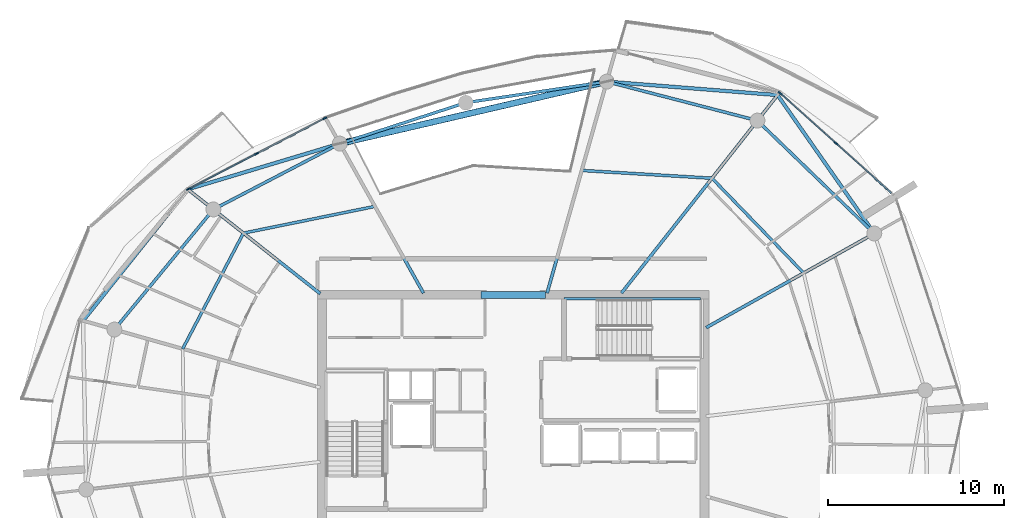
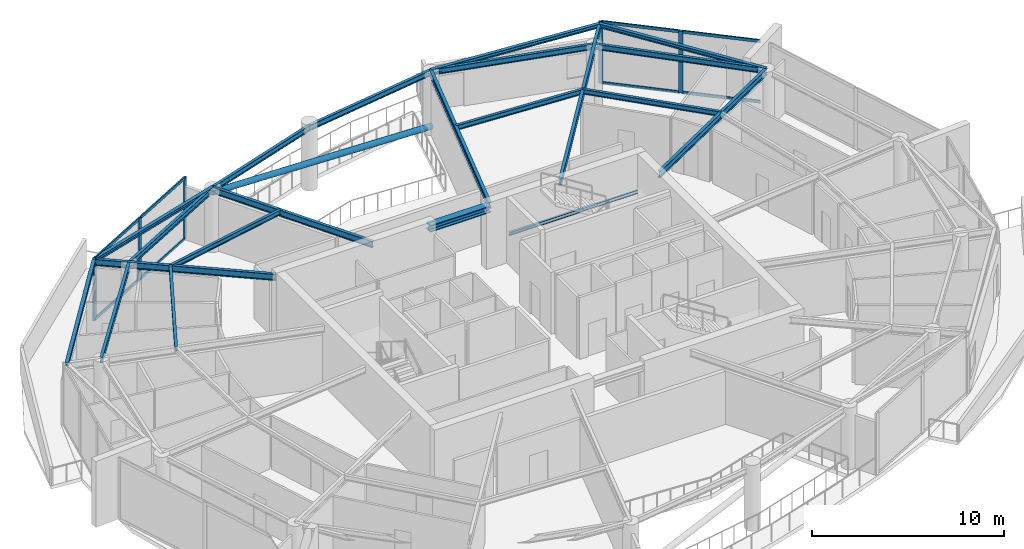
# One storey, part 7 of 22: 21 beams, 14 members, 2 elements without a shape of their own.
"""IFC4 building model written with IfcOpenShell, lengths in metres."""

from ifc_helpers import new_model, si_unit, direction, frame, origin, origin_2d, place, context, subcontext, project, spatial, rectangle, hollow_circle, i_section, extrude, material, layer, layer_set, material_profile, profile_set, type_object, element, aggregate, save


model = new_model("IFC4")

# Units and contexts
model_context = context("Model", 3, precision=1e-05, world=origin(), true_north=direction((0.0, 1.0)))
body_context = subcontext(model_context, "Body", "Model", "MODEL_VIEW")
ifc_project = project(units=[si_unit("LENGTHUNIT", "METRE"), si_unit("AREAUNIT", "SQUARE_METRE"), si_unit("VOLUMEUNIT", "CUBIC_METRE"), si_unit("PLANEANGLEUNIT", "RADIAN"), si_unit("MASSUNIT", "GRAM", prefix="KILO")], contexts=[model_context])

# Site, building, storey
site_placement = place(None, origin())
site = spatial("IfcSite", under=ifc_project, at=site_placement, CompositionType="ELEMENT")
building_placement = place(site_placement, origin())
building = spatial("IfcBuilding", under=site, at=building_placement, Name="Kazma Halo Residences", CompositionType="ELEMENT")
storey_placement = place(building_placement, frame((0.0, 0.0, 334.699951171875)))
storey = spatial("IfcBuildingStorey", under=building, at=storey_placement, Name="L84", CompositionType="ELEMENT", Elevation=334.699951171875)

# Beams
ifc_material_1 = material(Name="Steel S355", Category="steel")
ifc_material_profile_1 = material_profile(ifc_material_1, i_section(OverallWidth=0.201904296875, OverallDepth=0.2470703125, WebThickness=0.00732421875, FlangeThickness=0.010986328125, FilletRadius=0.011962890625, at=origin_2d()), Name="W250x49.1")
ifc_profile_set_1 = profile_set([ifc_material_profile_1], Name="Steel S355")
beam_type_1 = type_object("IfcBeamType", Name="BM-BAL-CANT", PredefinedType="BEAM", material=ifc_profile_set_1)
beam_1_placement = place(storey_placement, frame((68.96337890625, 53.739990234375, 3.816650390625), z_axis=(-0.572873629847, 0.819643705659, 0.0), x_axis=(-0.819643705659, -0.572873629847, 0.0)))
element("IfcBeam", 1, at=beam_1_placement, inside=storey, type_object=beam_type_1, Name="L84 wave-balcony lead tie beam 01", PredefinedType="BEAM", context=body_context, shape_type="SweptSolid", body=[
    extrude(i_section(OverallWidth=0.201904296875, OverallDepth=0.2470703125, WebThickness=0.00732421875, FlangeThickness=0.010986328125, FilletRadius=0.011962890625, at=origin_2d()), origin(), (0.0, 0.0, 1.0), 9.6044921875),
])
beam_2_placement = place(storey_placement, frame((63.461181640625, 61.6123046875, 3.816650390625), z_axis=(-0.996920506796, 0.078418767718, 0.0), x_axis=(-0.078418767718, -0.996920506796, 0.0)))
element("IfcBeam", 2, at=beam_2_placement, inside=storey, type_object=beam_type_1, Name="L84 wave-balcony tie beam 02", PredefinedType="BEAM", context=body_context, shape_type="SweptSolid", body=[
    extrude(i_section(OverallWidth=0.201904296875, OverallDepth=0.2470703125, WebThickness=0.00732421875, FlangeThickness=0.010986328125, FilletRadius=0.011962890625, at=origin_2d()), origin(), (0.0, 0.0, 1.0), 9.74462890625),
])
beam_3_placement = place(storey_placement, frame((38.563232421875, 58.8505859375, 3.816650390625), z_axis=(-0.957652623349, -0.287926124193, 0.0), x_axis=(0.287926124193, -0.957652623349, 0.0)))
element("IfcBeam", 3, at=beam_3_placement, inside=storey, type_object=beam_type_1, Name="L84 wave-balcony lead tie beam 05", PredefinedType="BEAM", context=body_context, shape_type="SweptSolid", body=[
    extrude(i_section(OverallWidth=0.201904296875, OverallDepth=0.2470703125, WebThickness=0.00732421875, FlangeThickness=0.010986328125, FilletRadius=0.011962890625, at=origin_2d()), origin(), (0.0, 0.0, 1.0), 9.0244140625),
])
beam_4_placement = place(storey_placement, frame((29.9208984375, 56.252197265625, 3.816650390625), z_axis=(-0.623310870646, -0.781974141858, 0.0), x_axis=(0.781974141858, -0.623310870646, 0.0)))
element("IfcBeam", 4, at=beam_4_placement, inside=storey, type_object=beam_type_1, Name="L84 wave-balcony tie beam 06", PredefinedType="BEAM", context=body_context, shape_type="SweptSolid", body=[
    extrude(i_section(OverallWidth=0.201904296875, OverallDepth=0.2470703125, WebThickness=0.00732421875, FlangeThickness=0.010986328125, FilletRadius=0.011962890625, at=origin_2d()), origin(), (0.0, 0.0, 1.0), 9.55712890625),
])
ifc_material_profile_2 = material_profile(ifc_material_1, i_section(OverallWidth=0.408935546875, OverallDepth=0.425048828125, WebThickness=0.03271484375, FlangeThickness=0.052490234375, FilletRadius=0.02001953125, at=origin_2d()), Name="W360x421")
ifc_profile_set_2 = profile_set([ifc_material_profile_2], Name="Steel S355")
beam_type_2 = type_object("IfcBeamType", Name="BM-CORE-W360H", PredefinedType="BEAM", material=ifc_profile_set_2)
beam_5_placement = place(storey_placement, frame((46.60009765625, 50.25, 3.7275390625), z_axis=(1.0, 0.0, 0.0), x_axis=(0.0, 1.0, 0.0)))
element("IfcBeam", 5, at=beam_5_placement, inside=storey, type_object=beam_type_2, Name="L84 core coupling beam N", PredefinedType="BEAM", context=body_context, shape_type="SweptSolid", body=[
    extrude(i_section(OverallWidth=0.408935546875, OverallDepth=0.425048828125, WebThickness=0.03271484375, FlangeThickness=0.052490234375, FilletRadius=0.02001953125, at=origin_2d()), origin(), (0.0, 0.0, 1.0), 3.64990234375),
])
ifc_material_profile_3 = material_profile(ifc_material_1, i_section(OverallWidth=0.177978515625, OverallDepth=0.406982421875, WebThickness=0.0078125, FlangeThickness=0.0126953125, FilletRadius=0.013916015625, at=origin_2d()), Name="W410x60")
ifc_profile_set_3 = profile_set([ifc_material_profile_3], Name="Steel S355")
beam_type_3 = type_object("IfcBeamType", Name="BM-RAD-W410", PredefinedType="BEAM", material=ifc_profile_set_3)
beam_6_placement = place(storey_placement, frame((59.39990234375, 48.38427734375, 3.736572265625), z_axis=(0.872499558985, 0.488614899047, 0.0), x_axis=(-0.488614899047, 0.872499558985, 0.0)))
element("IfcBeam", 6, at=beam_6_placement, inside=storey, type_object=beam_type_3, Name="L84 radial floor beam 01", PredefinedType="BEAM", context=body_context, shape_type="SweptSolid", body=[
    extrude(i_section(OverallWidth=0.177978515625, OverallDepth=0.406982421875, WebThickness=0.0078125, FlangeThickness=0.0126953125, FilletRadius=0.013916015625, at=origin_2d()), origin(), (0.0, 0.0, 1.0), 10.9609375),
])
beam_7_placement = place(storey_placement, frame((54.58251953125, 50.35009765625, 3.736572265625), z_axis=(0.61910487104, 0.78530832076, 0.0), x_axis=(-0.78530832076, 0.61910487104, 0.0)))
element("IfcBeam", 7, at=beam_7_placement, inside=storey, type_object=beam_type_3, Name="L84 radial floor beam 02", PredefinedType="BEAM", context=body_context, shape_type="SweptSolid", body=[
    extrude(i_section(OverallWidth=0.177978515625, OverallDepth=0.406982421875, WebThickness=0.0078125, FlangeThickness=0.0126953125, FilletRadius=0.013916015625, at=origin_2d()), origin(), (0.0, 0.0, 1.0), 14.341064453125),
])
beam_8_placement = place(storey_placement, frame((50.35498046875, 50.35009765625, 3.736572265625), z_axis=(0.271426752139, 0.962459099507, 0.0), x_axis=(-0.962459099507, 0.271426752139, 0.0)))
element("IfcBeam", 8, at=beam_8_placement, inside=storey, type_object=beam_type_3, Name="L84 radial floor beam 03", PredefinedType="BEAM", context=body_context, shape_type="SweptSolid", body=[
    extrude(i_section(OverallWidth=0.177978515625, OverallDepth=0.406982421875, WebThickness=0.0078125, FlangeThickness=0.0126953125, FilletRadius=0.013916015625, at=origin_2d()), origin(), (0.0, 0.0, 1.0), 12.495361328125),
])
beam_9_placement = place(storey_placement, frame((43.32373046875, 50.35009765625, 3.736572265625), z_axis=(-0.488620919127, 0.872496187608, 0.0), x_axis=(-0.872496187608, -0.488620919127, 0.0)))
element("IfcBeam", 9, at=beam_9_placement, inside=storey, type_object=beam_type_3, Name="L84 radial floor beam 05", PredefinedType="BEAM", context=body_context, shape_type="SweptSolid", body=[
    extrude(i_section(OverallWidth=0.177978515625, OverallDepth=0.406982421875, WebThickness=0.0078125, FlangeThickness=0.0126953125, FilletRadius=0.013916015625, at=origin_2d()), origin(), (0.0, 0.0, 1.0), 9.74267578125),
])
beam_10_placement = place(storey_placement, frame((37.449951171875, 50.31689453125, 3.736572265625), z_axis=(-0.78532321171, 0.619085982032, 0.0), x_axis=(-0.619085982032, -0.78532321171, 0.0)))
element("IfcBeam", 10, at=beam_10_placement, inside=storey, type_object=beam_type_3, Name="L84 radial floor beam 06", PredefinedType="BEAM", context=body_context, shape_type="SweptSolid", body=[
    extrude(i_section(OverallWidth=0.177978515625, OverallDepth=0.406982421875, WebThickness=0.0078125, FlangeThickness=0.0126953125, FilletRadius=0.013916015625, at=origin_2d()), origin(), (0.0, 0.0, 1.0), 9.587158203125),
])
ifc_material_profile_4 = material_profile(ifc_material_1, i_section(OverallWidth=0.1650390625, OverallDepth=0.31005859375, WebThickness=0.005859375, FlangeThickness=0.009765625, FilletRadius=0.011962890625, at=origin_2d()), Name="W310x38.7")
ifc_profile_set_4 = profile_set([ifc_material_profile_4], Name="Steel S355")
beam_type_4 = type_object("IfcBeamType", Name="BM-SEC-W310B", PredefinedType="JOIST", material=ifc_profile_set_4)
beam_11_placement = place(storey_placement, frame((64.94677734375, 51.490478515625, 3.78515625), z_axis=(-0.695209401678, 0.718807267506, 0.0), x_axis=(-0.718807267506, -0.695209401678, 0.0)))
element("IfcBeam", 11, at=beam_11_placement, inside=storey, type_object=beam_type_4, Name="L84 circumferential floor joist 01", PredefinedType="JOIST", context=body_context, shape_type="SweptSolid", body=[
    extrude(i_section(OverallWidth=0.1650390625, OverallDepth=0.31005859375, WebThickness=0.005859375, FlangeThickness=0.009765625, FilletRadius=0.011962890625, at=origin_2d()), origin(), (0.0, 0.0, 1.0), 7.500732421875),
])
beam_12_placement = place(storey_placement, frame((59.732177734375, 56.882080078125, 3.78515625), z_axis=(-0.998216858477, 0.059691736892, 0.0), x_axis=(-0.059691736892, -0.998216858477, 0.0)))
element("IfcBeam", 12, at=beam_12_placement, inside=storey, type_object=beam_type_4, Name="L84 circumferential floor joist 02", PredefinedType="JOIST", context=body_context, shape_type="SweptSolid", body=[
    extrude(i_section(OverallWidth=0.1650390625, OverallDepth=0.31005859375, WebThickness=0.005859375, FlangeThickness=0.009765625, FilletRadius=0.011962890625, at=origin_2d()), origin(), (0.0, 0.0, 1.0), 7.42333984375),
])
beam_13_placement = place(storey_placement, frame((40.562744140625, 55.280517578125, 3.78515625), z_axis=(-0.979943226728, -0.199276873695, 0.0), x_axis=(0.199276873695, -0.979943226728, 0.0)))
element("IfcBeam", 13, at=beam_13_placement, inside=storey, type_object=beam_type_4, Name="L84 circumferential floor joist 05", PredefinedType="JOIST", context=body_context, shape_type="SweptSolid", body=[
    extrude(i_section(OverallWidth=0.1650390625, OverallDepth=0.31005859375, WebThickness=0.005859375, FlangeThickness=0.009765625, FilletRadius=0.011962890625, at=origin_2d()), origin(), (0.0, 0.0, 1.0), 7.632568359375),
])
beam_14_placement = place(storey_placement, frame((33.083251953125, 53.759521484375, 3.78515625), z_axis=(-0.464998741676, -0.885311340851, 0.0), x_axis=(0.885311340851, -0.464998741676, 0.0)))
element("IfcBeam", 14, at=beam_14_placement, inside=storey, type_object=beam_type_4, Name="L84 circumferential floor joist 06", PredefinedType="JOIST", context=body_context, shape_type="SweptSolid", body=[
    extrude(i_section(OverallWidth=0.1650390625, OverallDepth=0.31005859375, WebThickness=0.005859375, FlangeThickness=0.009765625, FilletRadius=0.011962890625, at=origin_2d()), origin(), (0.0, 0.0, 1.0), 7.43017578125),
])
ifc_material_profile_5 = material_profile(ifc_material_1, i_section(OverallWidth=0.1708984375, OverallDepth=0.35498046875, WebThickness=0.007080078125, FlangeThickness=0.01171875, FilletRadius=0.013916015625, at=origin_2d()), Name="W360x51")
ifc_profile_set_5 = profile_set([ifc_material_profile_5], Name="Steel S355")
beam_type_5 = type_object("IfcBeamType", Name="BM-SPN-W360", PredefinedType="BEAM", material=ifc_profile_set_5)
beam_15_placement = place(storey_placement, frame((68.96337890625, 53.739990234375, 3.762451171875), z_axis=(-0.71933681628, 0.694661460529, 0.0), x_axis=(-0.694661460529, -0.71933681628, 0.0)))
element("IfcBeam", 15, at=beam_15_placement, inside=storey, type_object=beam_type_5, Name="L84 perimeter ring beam 01", PredefinedType="BEAM", context=body_context, shape_type="SweptSolid", body=[
    extrude(i_section(OverallWidth=0.1708984375, OverallDepth=0.35498046875, WebThickness=0.007080078125, FlangeThickness=0.01171875, FilletRadius=0.013916015625, at=origin_2d()), origin(), (0.0, 0.0, 1.0), 9.2412109375),
])
beam_16_placement = place(storey_placement, frame((62.31591796875, 60.159423828125, 3.762451171875), z_axis=(-0.968124082793, 0.250471076805, 0.0), x_axis=(-0.250471076805, -0.968124082793, 0.0)))
element("IfcBeam", 16, at=beam_16_placement, inside=storey, type_object=beam_type_5, Name="L84 perimeter ring beam 02", PredefinedType="BEAM", context=body_context, shape_type="SweptSolid", body=[
    extrude(i_section(OverallWidth=0.1708984375, OverallDepth=0.35498046875, WebThickness=0.007080078125, FlangeThickness=0.01171875, FilletRadius=0.013916015625, at=origin_2d()), origin(), (0.0, 0.0, 1.0), 8.8515625),
])
beam_17_placement = place(storey_placement, frame((53.74658203125, 62.37646484375, 3.762451171875), z_axis=(-0.989030710595, -0.147710031817, 0.0), x_axis=(0.147710031817, -0.989030710595, 0.0)))
element("IfcBeam", 17, at=beam_17_placement, inside=storey, type_object=beam_type_5, Name="L84 perimeter ring beam 03", PredefinedType="BEAM", context=body_context, shape_type="SweptSolid", body=[
    extrude(i_section(OverallWidth=0.1708984375, OverallDepth=0.35498046875, WebThickness=0.007080078125, FlangeThickness=0.01171875, FilletRadius=0.013916015625, at=origin_2d()), origin(), (0.0, 0.0, 1.0), 8.10546875),
])
beam_18_placement = place(storey_placement, frame((45.72998046875, 61.17919921875, 3.762451171875), z_axis=(-0.951056684666, -0.309016476183, 0.0), x_axis=(0.309016476183, -0.951056684666, 0.0)))
element("IfcBeam", 18, at=beam_18_placement, inside=storey, type_object=beam_type_5, Name="L84 perimeter ring beam 04", PredefinedType="BEAM", context=body_context, shape_type="SweptSolid", body=[
    extrude(i_section(OverallWidth=0.1708984375, OverallDepth=0.35498046875, WebThickness=0.007080078125, FlangeThickness=0.01171875, FilletRadius=0.013916015625, at=origin_2d()), origin(), (0.0, 0.0, 1.0), 7.53564453125),
])
beam_19_placement = place(storey_placement, frame((38.563232421875, 58.8505859375, 3.762451171875), z_axis=(-0.886957269655, -0.461851493238, 0.0), x_axis=(0.461851493238, -0.886957269655, 0.0)))
element("IfcBeam", 19, at=beam_19_placement, inside=storey, type_object=beam_type_5, Name="L84 perimeter ring beam 05", PredefinedType="BEAM", context=body_context, shape_type="SweptSolid", body=[
    extrude(i_section(OverallWidth=0.1708984375, OverallDepth=0.35498046875, WebThickness=0.007080078125, FlangeThickness=0.01171875, FilletRadius=0.013916015625, at=origin_2d()), origin(), (0.0, 0.0, 1.0), 8.105712890625),
])
beam_20_placement = place(storey_placement, frame((31.373779296875, 55.10693359375, 3.762451171875), z_axis=(-0.636004986424, -0.771684946881, 0.0), x_axis=(0.771684946881, -0.636004986424, 0.0)))
element("IfcBeam", 20, at=beam_20_placement, inside=storey, type_object=beam_type_5, Name="L84 perimeter ring beam 06", PredefinedType="BEAM", context=body_context, shape_type="SweptSolid", body=[
    extrude(i_section(OverallWidth=0.1708984375, OverallDepth=0.35498046875, WebThickness=0.007080078125, FlangeThickness=0.01171875, FilletRadius=0.013916015625, at=origin_2d()), origin(), (0.0, 0.0, 1.0), 8.85107421875),
])
ifc_material_profile_6 = material_profile(ifc_material_1, i_section(OverallWidth=0.133056640625, OverallDepth=0.20703125, WebThickness=0.005859375, FlangeThickness=0.00830078125, FilletRadius=0.010009765625, at=origin_2d()), Name="W200x26.6")
ifc_profile_set_6 = profile_set([ifc_material_profile_6], Name="Steel S355")
beam_type_6 = type_object("IfcBeamType", Name="BM-TRIM-W200", PredefinedType="BEAM", material=ifc_profile_set_6)
beam_21_placement = place(storey_placement, frame((51.31005859375, 50.02001953125, 1.795166015625), z_axis=(1.0, 0.0, 0.0), x_axis=(0.0, 1.0, 0.0)))
element("IfcBeam", 21, at=beam_21_placement, inside=storey, type_object=beam_type_6, Name="L84 ST-02 landing north wall ledger", PredefinedType="BEAM", context=body_context, shape_type="SweptSolid", body=[
    extrude(i_section(OverallWidth=0.133056640625, OverallDepth=0.20703125, WebThickness=0.005859375, FlangeThickness=0.00830078125, FilletRadius=0.010009765625, at=origin_2d()), origin(), (0.0, 0.0, 1.0), 7.760009765625),
])

# Curtain wall, members
ifc_material_2 = material(Name="Aluminium AW-6063 T6 and Triple-Silver Low-E Glass", Category="aluminium")
ifc_layer = layer(ifc_material_2, 0.239990234375)
ifc_layer_set = layer_set([ifc_layer], Name="Aluminium AW-6063 T6 and Triple-Silver Low-E Glass")
curtain_wall_type = type_object("IfcCurtainWallType", Name="CW-SYS-6", PredefinedType="NOTDEFINED", material=ifc_layer_set)
curtain_wall_1_placement = place(storey_placement, origin())
curtain_wall_1 = element("IfcCurtainWall", 22, at=curtain_wall_1_placement, inside=storey, type_object=curtain_wall_type, Name="L84 unitised curtain wall B01", PredefinedType="NOTDEFINED")
ifc_material_3 = material(Name="Aluminium AW-6063 T6", Category="aluminium")
ifc_material_profile_7 = material_profile(ifc_material_3, rectangle(XDim=0.080078125, YDim=0.239990234375, at=origin_2d()), Name="CWM-80x240")
ifc_profile_set_7 = profile_set([ifc_material_profile_7], Name="Aluminium AW-6063 T6")
member_type_1 = type_object("IfcMemberType", Name="CW-SYS-6-MUL", PredefinedType="MULLION", material=ifc_profile_set_7)
member_1_placement = place(storey_placement, frame((66.78466796875, 58.86962890625, 0.0), z_axis=(0.0, 0.0, 1.0), x_axis=(-0.667757559118, -0.744378829791, 0.0)))
member_1 = element("IfcMember", 23, at=member_1_placement, type_object=member_type_1, Name="CWS-6 mullion 2", PredefinedType="MULLION", context=body_context, shape_type="SweptSolid", body=[
    extrude(rectangle(XDim=0.080078125, YDim=0.239990234375, at=origin_2d()), origin(), (0.0, 0.0, 1.0), 3.93994140625),
])
member_2_placement = place(storey_placement, frame((63.60107421875, 61.7255859375, 0.0), z_axis=(0.0, 0.0, 1.0), x_axis=(-0.667757559118, -0.744378829791, 0.0)))
member_2 = element("IfcMember", 24, at=member_2_placement, type_object=member_type_1, Name="CWS-6 mullion 3", PredefinedType="MULLION", context=body_context, shape_type="SweptSolid", body=[
    extrude(rectangle(XDim=0.080078125, YDim=0.239990234375, at=origin_2d()), origin(), (0.0, 0.0, 1.0), 3.93994140625),
])

curtain_wall_2_placement = place(storey_placement, origin())
curtain_wall_2 = element("IfcCurtainWall", 25, at=curtain_wall_2_placement, inside=storey, type_object=curtain_wall_type, Name="L84 unitised curtain wall B05", PredefinedType="NOTDEFINED")
member_3_placement = place(storey_placement, frame((37.709716796875, 60.29296875, 0.0), z_axis=(0.0, 0.0, 1.0), x_axis=(0.460796020861, -0.887506071618, 0.0)))
member_3 = element("IfcMember", 26, at=member_3_placement, type_object=member_type_1, Name="CWS-6 mullion 1", PredefinedType="MULLION", context=body_context, shape_type="SweptSolid", body=[
    extrude(rectangle(XDim=0.080078125, YDim=0.239990234375, at=origin_2d()), origin(), (0.0, 0.0, 1.0), 3.93994140625),
])
member_4_placement = place(storey_placement, frame((33.83447265625, 58.28076171875, 0.0), z_axis=(0.0, 0.0, 1.0), x_axis=(0.460796020861, -0.887506071618, 0.0)))
member_4 = element("IfcMember", 27, at=member_4_placement, type_object=member_type_1, Name="CWS-6 mullion 2", PredefinedType="MULLION", context=body_context, shape_type="SweptSolid", body=[
    extrude(rectangle(XDim=0.080078125, YDim=0.239990234375, at=origin_2d()), origin(), (0.0, 0.0, 1.0), 3.93994140625),
])
member_5_placement = place(storey_placement, frame((29.958984375, 56.268798828125, 0.0), z_axis=(0.0, 0.0, 1.0), x_axis=(0.460796020861, -0.887506071618, 0.0)))
member_5 = element("IfcMember", 28, at=member_5_placement, type_object=member_type_1, Name="CWS-6 mullion 3", PredefinedType="MULLION", context=body_context, shape_type="SweptSolid", body=[
    extrude(rectangle(XDim=0.080078125, YDim=0.239990234375, at=origin_2d()), origin(), (0.0, 0.0, 1.0), 3.93994140625),
])

# Member
ifc_material_profile_8 = material_profile(ifc_material_3, rectangle(XDim=0.080078125, YDim=0.179931640625, at=origin_2d()), Name="CWT-80x180")
ifc_profile_set_8 = profile_set([ifc_material_profile_8], Name="Aluminium AW-6063 T6")
member_type_2 = type_object("IfcMemberType", Name="CW-SYS-6-TRN", PredefinedType="USERDEFINED", material=ifc_profile_set_8)
member_6_placement = place(storey_placement, frame((69.938232421875, 56.04052734375, 0.0400390625), z_axis=(-0.744349048391, 0.66779075627, 0.0), x_axis=(-0.66779075627, -0.744349048391, 0.0)))
member_6 = element("IfcMember", 29, at=member_6_placement, type_object=member_type_2, Name="CWS-6 transom 1.1", ObjectType="TRANSOM", PredefinedType="USERDEFINED", context=body_context, shape_type="SweptSolid", body=[
    extrude(rectangle(XDim=0.080078125, YDim=0.179931640625, at=origin_2d()), origin(), (0.0, 0.0, 1.0), 4.19677734375),
])

member_7_placement = place(storey_placement, frame((69.938232421875, 56.04052734375, 3.900146484375), z_axis=(-0.744349048391, 0.66779075627, 0.0), x_axis=(-0.66779075627, -0.744349048391, 0.0)))
member_7 = element("IfcMember", 30, at=member_7_placement, type_object=member_type_2, Name="CWS-6 transom 1.2", ObjectType="TRANSOM", PredefinedType="USERDEFINED", context=body_context, shape_type="SweptSolid", body=[
    extrude(rectangle(XDim=0.080078125, YDim=0.179931640625, at=origin_2d()), origin(), (0.0, 0.0, 1.0), 4.19677734375),
])

member_8_placement = place(storey_placement, frame((66.7548828125, 58.896484375, 0.0400390625), z_axis=(-0.744403905463, 0.667729605103, 0.0), x_axis=(-0.667729605103, -0.744403905463, 0.0)))
member_8 = element("IfcMember", 31, at=member_8_placement, type_object=member_type_2, Name="CWS-6 transom 2.1", ObjectType="TRANSOM", PredefinedType="USERDEFINED", context=body_context, shape_type="SweptSolid", body=[
    extrude(rectangle(XDim=0.080078125, YDim=0.179931640625, at=origin_2d()), origin(), (0.0, 0.0, 1.0), 4.19677734375),
])

member_9_placement = place(storey_placement, frame((66.7548828125, 58.896484375, 3.900146484375), z_axis=(-0.744403905463, 0.667729605103, 0.0), x_axis=(-0.667729605103, -0.744403905463, 0.0)))
member_9 = element("IfcMember", 32, at=member_9_placement, type_object=member_type_2, Name="CWS-6 transom 2.2", ObjectType="TRANSOM", PredefinedType="USERDEFINED", context=body_context, shape_type="SweptSolid", body=[
    extrude(rectangle(XDim=0.080078125, YDim=0.179931640625, at=origin_2d()), origin(), (0.0, 0.0, 1.0), 4.19677734375),
])

aggregate(curtain_wall_1, [member_1, member_2, member_6, member_7, member_8, member_9])

member_10_placement = place(storey_placement, frame((37.67431640625, 60.2744140625, 0.0400390625), z_axis=(-0.88752339951, -0.460762645321, 0.0), x_axis=(0.460762645321, -0.88752339951, 0.0)))
member_10 = element("IfcMember", 33, at=member_10_placement, type_object=member_type_2, Name="CWS-6 transom 1.1", ObjectType="TRANSOM", PredefinedType="USERDEFINED", context=body_context, shape_type="SweptSolid", body=[
    extrude(rectangle(XDim=0.080078125, YDim=0.179931640625, at=origin_2d()), origin(), (0.0, 0.0, 1.0), 4.28662109375),
])

member_11_placement = place(storey_placement, frame((37.67431640625, 60.2744140625, 3.900146484375), z_axis=(-0.88752339951, -0.460762645321, 0.0), x_axis=(0.460762645321, -0.88752339951, 0.0)))
member_11 = element("IfcMember", 34, at=member_11_placement, type_object=member_type_2, Name="CWS-6 transom 1.2", ObjectType="TRANSOM", PredefinedType="USERDEFINED", context=body_context, shape_type="SweptSolid", body=[
    extrude(rectangle(XDim=0.080078125, YDim=0.179931640625, at=origin_2d()), origin(), (0.0, 0.0, 1.0), 4.28662109375),
])

member_12_placement = place(storey_placement, frame((33.798828125, 58.262451171875, 0.0400390625), z_axis=(-0.887488013571, -0.4608307995, 0.0), x_axis=(0.4608307995, -0.887488013571, 0.0)))
member_12 = element("IfcMember", 35, at=member_12_placement, type_object=member_type_2, Name="CWS-6 transom 2.1", ObjectType="TRANSOM", PredefinedType="USERDEFINED", context=body_context, shape_type="SweptSolid", body=[
    extrude(rectangle(XDim=0.080078125, YDim=0.179931640625, at=origin_2d()), origin(), (0.0, 0.0, 1.0), 4.286376953125),
])

member_13_placement = place(storey_placement, frame((33.798828125, 58.262451171875, 3.900146484375), z_axis=(-0.887488013571, -0.4608307995, 0.0), x_axis=(0.4608307995, -0.887488013571, 0.0)))
member_13 = element("IfcMember", 36, at=member_13_placement, type_object=member_type_2, Name="CWS-6 transom 2.2", ObjectType="TRANSOM", PredefinedType="USERDEFINED", context=body_context, shape_type="SweptSolid", body=[
    extrude(rectangle(XDim=0.080078125, YDim=0.179931640625, at=origin_2d()), origin(), (0.0, 0.0, 1.0), 4.286376953125),
])

aggregate(curtain_wall_2, [member_3, member_4, member_5, member_10, member_11, member_12, member_13])

ifc_material_profile_9 = material_profile(ifc_material_1, hollow_circle(Radius=0.177734375, WallThickness=0.012451171875, at=origin_2d()), Name="CHS355.6x12.5")
ifc_profile_set_9 = profile_set([ifc_material_profile_9], Name="Steel S355")
member_type_3 = type_object("IfcMemberType", Name="MBR-PORT-CHS355", PredefinedType="BRACE", material=ifc_profile_set_9)
member_14_placement = place(storey_placement, frame((53.74658203125, 62.37646484375, 0.300048828125), z_axis=(-0.953451168397, -0.221410522005, 0.204715046415), x_axis=(0.226201096399, -0.974080624994, 0.0)))
element("IfcMember", 37, at=member_14_placement, inside=storey, type_object=member_type_3, Name="L84 upper wind-portal brace NNW", PredefinedType="BRACE", context=body_context, shape_type="SweptSolid", body=[
    extrude(hollow_circle(Radius=0.177734375, WallThickness=0.012451171875, at=origin_2d()), origin(), (0.0, 0.0, 1.0), 15.924560546875),
])

save(model, "model.ifc")
